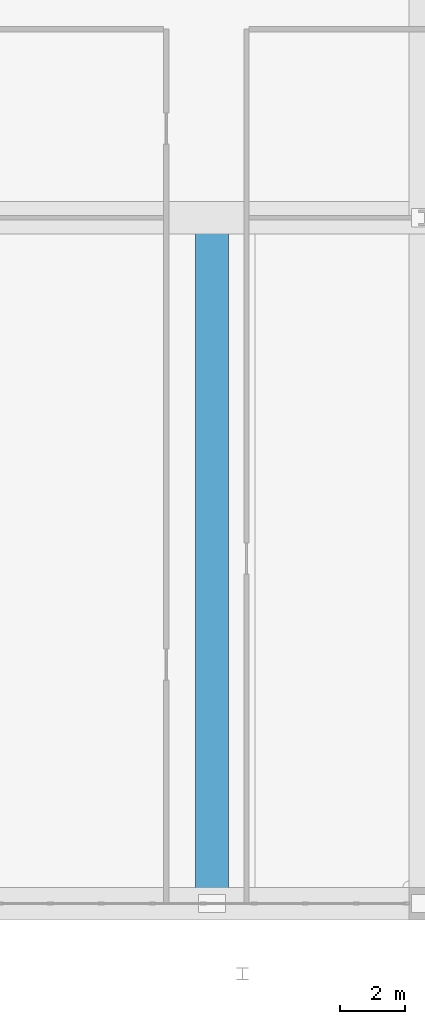
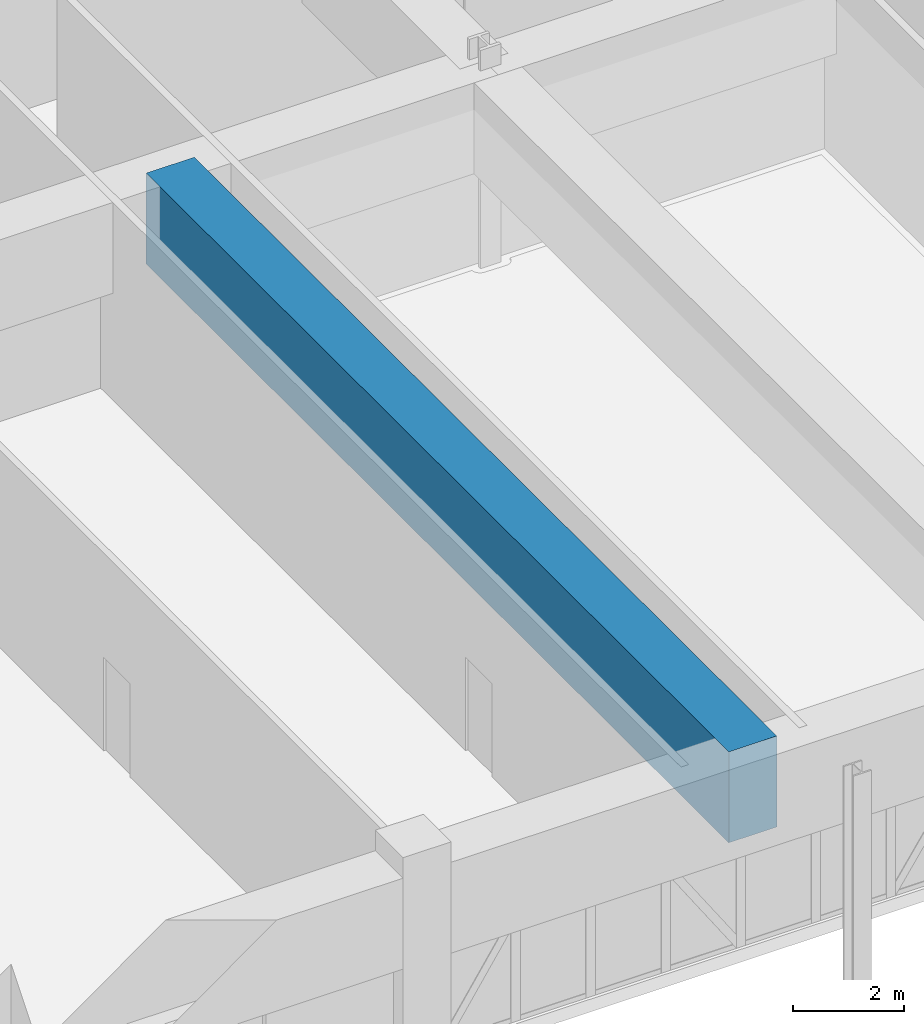
# One storey, part 6 of 44: 1 beam.
"""IFC4 building model written with IfcOpenShell, lengths in metres."""

from ifc_helpers import new_model, si_unit, derived_unit, direction, frame, origin, origin_2d, place, context, subcontext, project, spatial, rectangle, extrude, source, transform, mapped, material, material_profile, profile_set, type_object, element, save


model = new_model("IFC4")

# Units and contexts
model_context = context("Model", 3, precision=1e-05, world=origin(), true_north=direction((0.0, 1.0)))
body_context = subcontext(model_context, "Body", "Model", "MODEL_VIEW")
ifc_project = project(units=[si_unit("LENGTHUNIT", "METRE"), si_unit("AREAUNIT", "SQUARE_METRE"), si_unit("VOLUMEUNIT", "CUBIC_METRE"), si_unit("PLANEANGLEUNIT", "RADIAN"), si_unit("MASSUNIT", "GRAM", prefix="KILO"), derived_unit("THERMALTRANSMITTANCEUNIT", [(si_unit("POWERUNIT", "WATT"), 1), (si_unit("LENGTHUNIT", "METRE"), -2), (si_unit("THERMODYNAMICTEMPERATUREUNIT", "KELVIN"), -1)])], contexts=[model_context])

# Site, building, storey
site_placement = place(None, origin())
site = spatial("IfcSite", under=ifc_project, at=site_placement, CompositionType="ELEMENT")
building_placement = place(site_placement, origin())
building = spatial("IfcBuilding", under=site, at=building_placement, Name="Korsvarv Bourse and Concert Hall", CompositionType="ELEMENT")
storey_placement = place(building_placement, frame((0.0, 0.0, 9.60009765625)))
storey = spatial("IfcBuildingStorey", under=building, at=storey_placement, Name="L02", CompositionType="ELEMENT", Elevation=9.60009765625)

# Beam
ifc_material = material(Name="Concrete C60/75", Category="concrete")
ifc_material_profile = material_profile(ifc_material, rectangle(XDim=1.0, YDim=2.0, at=origin_2d()), Name="RC-BM 1000x2000")
ifc_profile_set = profile_set([ifc_material_profile], Name="Concrete C60/75")
beam_type = type_object("IfcBeamType", Name="BM-TR1", PredefinedType="BEAM", material=ifc_profile_set)
shared_shape = source(origin(), body_context, "Body", "SweptSolid", [
    extrude(rectangle(XDim=1.0, YDim=2.0, at=origin_2d()), origin(), (0.0, 0.0, 1.0), 21.0),
])
beam_placement = place(storey_placement, frame((21.06787109375, 3.0, 3.349853515625), z_axis=(0.0, 1.0, 0.0), x_axis=(-1.0, 0.0, 0.0)))
element("IfcBeam", 1, at=beam_placement, inside=storey, type_object=beam_type, Name="L03 Podium Transfer Girder BM-L02-PTRC8", PredefinedType="BEAM", context=body_context, shape_type="MappedRepresentation", body=[
    mapped(shared_shape, transform((0.0, 0.0, 0.0), scale=1.0)),
])

save(model, "model.ifc")
